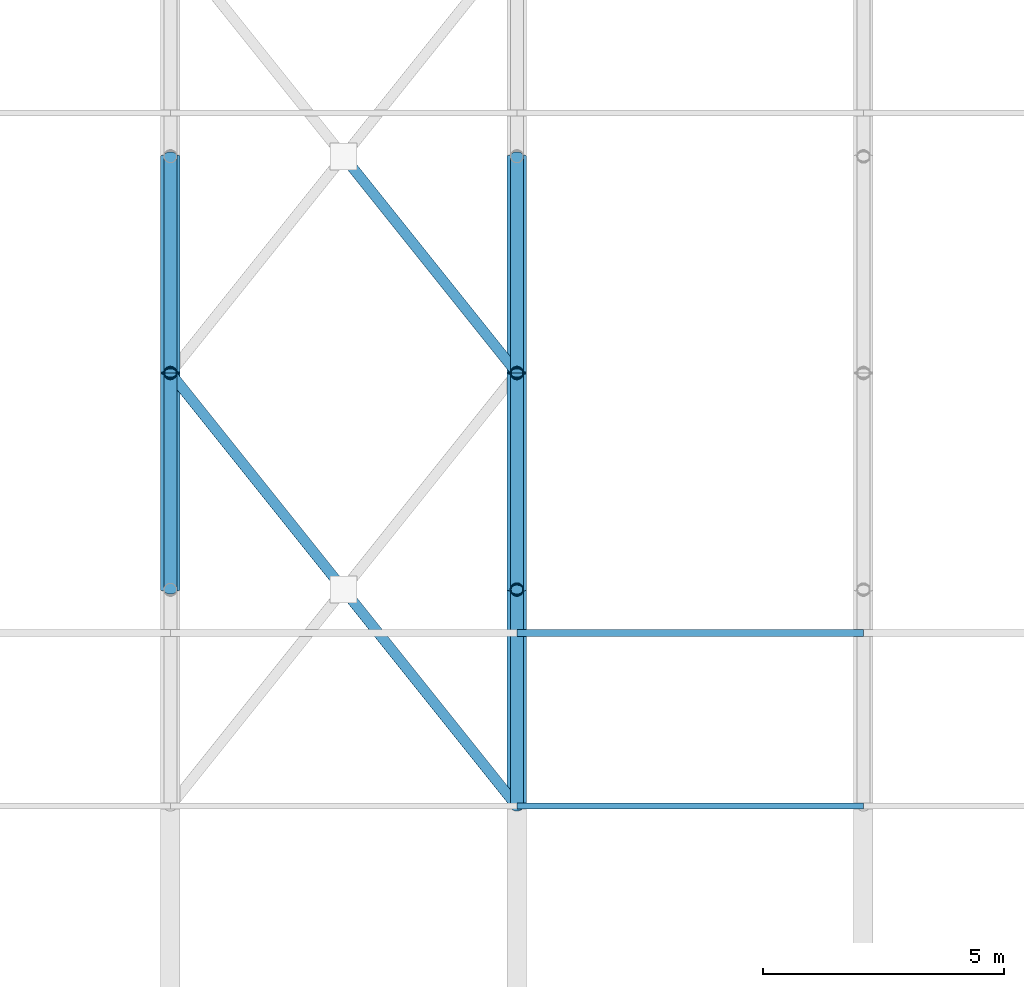
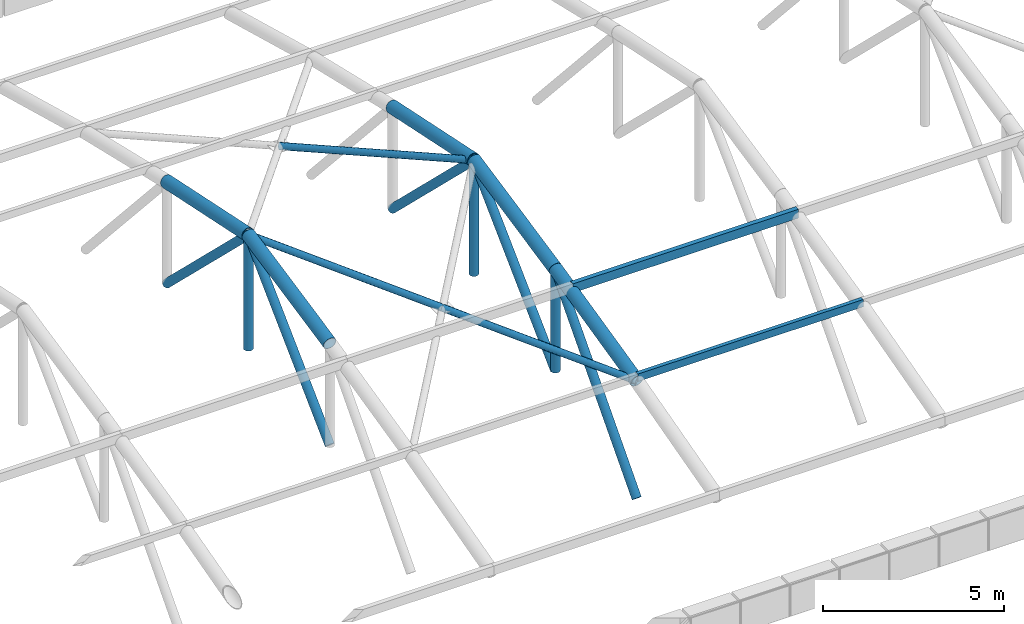
# One storey, part 28 of 96: 18 members.
"""IFC4 building model written with IfcOpenShell, lengths in metres."""

from ifc_helpers import new_model, si_unit, direction, frame, origin, origin_2d, place, context, subcontext, project, spatial, hollow_rectangle, hollow_circle, extrude, material, material_profile, profile_set, type_object, element, save


model = new_model("IFC4")

# Units and contexts
model_context = context("Model", 3, precision=1e-05, world=origin(), true_north=direction((0.0, 1.0)))
body_context = subcontext(model_context, "Body", "Model", "MODEL_VIEW")
ifc_project = project(units=[si_unit("LENGTHUNIT", "METRE"), si_unit("AREAUNIT", "SQUARE_METRE"), si_unit("VOLUMEUNIT", "CUBIC_METRE"), si_unit("PLANEANGLEUNIT", "RADIAN"), si_unit("MASSUNIT", "GRAM", prefix="KILO")], contexts=[model_context])

# Site, building, storey
site_placement = place(None, origin())
site = spatial("IfcSite", under=ifc_project, at=site_placement, CompositionType="ELEMENT")
building_placement = place(site_placement, origin())
building = spatial("IfcBuilding", under=site, at=building_placement, Name="Yarey Park Central Fire Station", CompositionType="ELEMENT")
storey_placement = place(building_placement, frame((0.0, 0.0, 14.39990234375)))
storey = spatial("IfcBuildingStorey", under=building, at=storey_placement, Name="L04", CompositionType="ELEMENT", Elevation=14.39990234375)

# Members
ifc_material = material(Name="Steel ASTM A500 Gr. C", Category="steel")
ifc_material_profile_1 = material_profile(ifc_material, hollow_circle(Radius=0.109619140625, WallThickness=0.010009765625, at=origin_2d()), Name="CHS 219.1x10")
ifc_profile_set_1 = profile_set([ifc_material_profile_1], Name="Steel ASTM A500 Gr. C")
member_type_1 = type_object("IfcMemberType", Name="STR_BRC_CHS219", PredefinedType="BRACE", material=ifc_profile_set_1)
member_1_placement = place(storey_placement, frame((100.800048828125, 66.60009765625, 1.940185546875), z_axis=(-0.61554689676, 0.769412749293, 0.170604921135), x_axis=(-0.780860543151, -0.624705380279, 0.0)))
element("IfcMember", 1, at=member_1_placement, inside=storey, type_object=member_type_1, Name="XBR_ARCH_B06_66_2A", PredefinedType="BRACE", context=body_context, shape_type="SweptSolid", body=[
    extrude(hollow_circle(Radius=0.109619140625, WallThickness=0.010009765625, at=origin_2d()), origin(), (0.0, 0.0, 1.0), 5.8486328125),
])
member_2_placement = place(storey_placement, frame((97.199951171875, 71.10009765625, 2.93798828125), z_axis=(-0.615516584686, 0.769427038924, 0.17064983372), x_axis=(-0.780881208953, -0.624679547852, 0.0)))
element("IfcMember", 2, at=member_2_placement, inside=storey, type_object=member_type_1, Name="XBR_ARCH_B06_66_2B", PredefinedType="BRACE", context=body_context, shape_type="SweptSolid", body=[
    extrude(hollow_circle(Radius=0.109619140625, WallThickness=0.010009765625, at=origin_2d()), origin(), (0.0, 0.0, 1.0), 5.848388671875),
])
member_3_placement = place(storey_placement, frame((100.800048828125, 75.60009765625, 3.93603515625), z_axis=(-0.615542512582, 0.76940726922, -0.170645449033), x_axis=(-0.780860543151, -0.624705380279, 0.0)))
element("IfcMember", 3, at=member_3_placement, inside=storey, type_object=member_type_1, Name="XBR_ARCH_B06_75_2A", PredefinedType="BRACE", context=body_context, shape_type="SweptSolid", body=[
    extrude(hollow_circle(Radius=0.109619140625, WallThickness=0.010009765625, at=origin_2d()), origin(), (0.0, 0.0, 1.0), 5.8486328125),
])
ifc_material_profile_2 = material_profile(ifc_material, hollow_circle(Radius=0.203125, WallThickness=0.01611328125, at=origin_2d()), Name="CHS 406.4x16")
ifc_profile_set_2 = profile_set([ifc_material_profile_2], Name="Steel ASTM A500 Gr. C")
member_type_2 = type_object("IfcMemberType", Name="STR_CHORD_CHS406", PredefinedType="CHORD", material=ifc_profile_set_2)
for number, where, z_axis, x_axis, name in (
    (4, (93.60009765625, 71.10009765625, 2.99609375), (0.0, 0.978874249501, 0.204463208582), (-1.0, 0.0, 0.0), "Arched Roof Truss ART_06 Top Chord 4"),
    (5, (93.60009765625, 75.60009765625, 3.93603515625), (0.0, 0.978874249501, -0.204463208582), (-1.0, 0.0, 0.0), "Arched Roof Truss ART_06 Top Chord 5"),
):
    element("IfcMember", number, at=place(storey_placement, frame(where, z_axis=z_axis, x_axis=x_axis)), inside=storey, type_object=member_type_2, Name=name, PredefinedType="CHORD", context=body_context, shape_type="SweptSolid", body=[
        extrude(hollow_circle(Radius=0.203125, WallThickness=0.01611328125, at=origin_2d()), origin(), (0.0, 0.0, 1.0), 4.59716796875),
    ])
member_4_placement = place(storey_placement, frame((100.800048828125, 66.60009765625, 1.940185546875), z_axis=(0.0, 0.97355760432, 0.228441657915), x_axis=(-1.0, 0.0, 0.0)))
element("IfcMember", 6, at=member_4_placement, inside=storey, type_object=member_type_2, Name="Arched Roof Truss ART_07 Top Chord 3", PredefinedType="CHORD", context=body_context, shape_type="SweptSolid", body=[
    extrude(hollow_circle(Radius=0.203125, WallThickness=0.01611328125, at=origin_2d()), origin(), (0.0, 0.0, 1.0), 4.622314453125),
])
for number, where, z_axis, x_axis, name in (
    (7, (100.800048828125, 71.10009765625, 2.99609375), (0.0, 0.978874249501, 0.204463208582), (-1.0, 0.0, 0.0), "Arched Roof Truss ART_07 Top Chord 4"),
    (8, (100.800048828125, 75.60009765625, 3.93603515625), (0.0, 0.978874249501, -0.204463208582), (-1.0, 0.0, 0.0), "Arched Roof Truss ART_07 Top Chord 5"),
):
    element("IfcMember", number, at=place(storey_placement, frame(where, z_axis=z_axis, x_axis=x_axis)), inside=storey, type_object=member_type_2, Name=name, PredefinedType="CHORD", context=body_context, shape_type="SweptSolid", body=[
        extrude(hollow_circle(Radius=0.203125, WallThickness=0.01611328125, at=origin_2d()), origin(), (0.0, 0.0, 1.0), 4.59716796875),
    ])
ifc_material_profile_3 = material_profile(ifc_material, hollow_rectangle(XDim=0.125, YDim=0.25, WallThickness=0.008056640625, at=origin_2d()), Name="HSS 250x125x8")
ifc_profile_set_3 = profile_set([ifc_material_profile_3], Name="Steel ASTM A500 Gr. C")
member_type_3 = type_object("IfcMemberType", Name="STR_GIRT_HSS250", PredefinedType="PURLIN", material=ifc_profile_set_3)
member_5_placement = place(storey_placement, frame((100.800048828125, 66.60009765625, 2.0791015625), z_axis=(1.0, 0.0, 0.0), x_axis=(0.0, 1.0, 0.0)))
element("IfcMember", 9, at=member_5_placement, inside=storey, type_object=member_type_3, Name="PUR_ARCH_B07_2", PredefinedType="PURLIN", context=body_context, shape_type="SweptSolid", body=[
    extrude(hollow_rectangle(XDim=0.125, YDim=0.25, WallThickness=0.008056640625, at=origin_2d()), origin(), (0.0, 0.0, 1.0), 7.199951171875),
])
ifc_material_profile_4 = material_profile(ifc_material, hollow_rectangle(XDim=0.14990234375, YDim=0.300048828125, WallThickness=0.010009765625, at=origin_2d()), Name="HSS 300x150x10")
ifc_profile_set_4 = profile_set([ifc_material_profile_4], Name="Steel ASTM A500 Gr. C")
member_type_4 = type_object("IfcMemberType", Name="STR_PUR_HSS300", PredefinedType="PURLIN", material=ifc_profile_set_4)
member_6_placement = place(storey_placement, frame((100.800048828125, 70.199951171875, 2.922119140625), z_axis=(1.0, 0.0, 0.0), x_axis=(0.0, 1.0, 0.0)))
element("IfcMember", 10, at=member_6_placement, inside=storey, type_object=member_type_4, Name="PUR_ARCH_B07_3", PredefinedType="PURLIN", context=body_context, shape_type="SweptSolid", body=[
    extrude(hollow_rectangle(XDim=0.14990234375, YDim=0.300048828125, WallThickness=0.010009765625, at=origin_2d()), origin(), (0.0, 0.0, 1.0), 7.199951171875),
])
ifc_material_profile_5 = material_profile(ifc_material, hollow_circle(Radius=0.136474609375, WallThickness=0.012451171875, at=origin_2d()), Name="CHS 273x12.5")
ifc_profile_set_5 = profile_set([ifc_material_profile_5], Name="Steel ASTM A500 Gr. C")
member_type_5 = type_object("IfcMemberType", Name="STR_WEB_CHS273", PredefinedType="BRACE", material=ifc_profile_set_5)
for number, where, z_axis, x_axis, name in (
    (11, (93.60009765625, 71.10009765625, -0.43115234375), (0.0, 0.717617317355, 0.696437639586), (-1.0, 0.0, 0.0), "Arched Roof Truss ART_06 Diagonal 4"),
    (12, (93.60009765625, 75.60009765625, 3.93603515625), (0.0, 0.717617317355, -0.696437639586), (-1.0, 0.0, 0.0), "Arched Roof Truss ART_06 Diagonal 5"),
):
    element("IfcMember", number, at=place(storey_placement, frame(where, z_axis=z_axis, x_axis=x_axis)), inside=storey, type_object=member_type_5, Name=name, PredefinedType="BRACE", context=body_context, shape_type="SweptSolid", body=[
        extrude(hollow_circle(Radius=0.136474609375, WallThickness=0.012451171875, at=origin_2d()), origin(), (0.0, 0.0, 1.0), 6.270751953125),
    ])
member_7_placement = place(storey_placement, frame((93.60009765625, 75.60009765625, 0.10009765625), z_axis=(0.0, 0.0, 1.0), x_axis=(1.0, 0.0, 0.0)))
element("IfcMember", 13, at=member_7_placement, inside=storey, type_object=member_type_5, Name="Arched Roof Truss ART_06 Vertical 5", PredefinedType="BRACE", context=body_context, shape_type="SweptSolid", body=[
    extrude(hollow_circle(Radius=0.136474609375, WallThickness=0.012451171875, at=origin_2d()), origin(), (0.0, 0.0, 1.0), 3.8359375),
])
member_8_placement = place(storey_placement, frame((100.800048828125, 66.60009765625, -2.02490234375), z_axis=(0.0, 0.667414870686, 0.744686101916), x_axis=(-1.0, 0.0, 0.0)))
element("IfcMember", 14, at=member_8_placement, inside=storey, type_object=member_type_5, Name="Arched Roof Truss ART_07 Diagonal 3", PredefinedType="BRACE", context=body_context, shape_type="SweptSolid", body=[
    extrude(hollow_circle(Radius=0.136474609375, WallThickness=0.012451171875, at=origin_2d()), origin(), (0.0, 0.0, 1.0), 6.742431640625),
])
for number, where, z_axis, x_axis, name in (
    (15, (100.800048828125, 71.10009765625, -0.43115234375), (0.0, 0.717617317355, 0.696437639586), (-1.0, 0.0, 0.0), "Arched Roof Truss ART_07 Diagonal 4"),
    (16, (100.800048828125, 75.60009765625, 3.93603515625), (0.0, 0.717617317355, -0.696437639586), (-1.0, 0.0, 0.0), "Arched Roof Truss ART_07 Diagonal 5"),
):
    element("IfcMember", number, at=place(storey_placement, frame(where, z_axis=z_axis, x_axis=x_axis)), inside=storey, type_object=member_type_5, Name=name, PredefinedType="BRACE", context=body_context, shape_type="SweptSolid", body=[
        extrude(hollow_circle(Radius=0.136474609375, WallThickness=0.012451171875, at=origin_2d()), origin(), (0.0, 0.0, 1.0), 6.270751953125),
    ])
member_9_placement = place(storey_placement, frame((100.800048828125, 71.10009765625, -0.43115234375), z_axis=(0.0, 0.0, 1.0), x_axis=(1.0, 0.0, 0.0)))
element("IfcMember", 17, at=member_9_placement, inside=storey, type_object=member_type_5, Name="Arched Roof Truss ART_07 Vertical 4", PredefinedType="BRACE", context=body_context, shape_type="SweptSolid", body=[
    extrude(hollow_circle(Radius=0.136474609375, WallThickness=0.012451171875, at=origin_2d()), origin(), (0.0, 0.0, 1.0), 3.42724609375),
])
member_10_placement = place(storey_placement, frame((100.800048828125, 75.60009765625, 0.10009765625), z_axis=(0.0, 0.0, 1.0), x_axis=(1.0, 0.0, 0.0)))
element("IfcMember", 18, at=member_10_placement, inside=storey, type_object=member_type_5, Name="Arched Roof Truss ART_07 Vertical 5", PredefinedType="BRACE", context=body_context, shape_type="SweptSolid", body=[
    extrude(hollow_circle(Radius=0.136474609375, WallThickness=0.012451171875, at=origin_2d()), origin(), (0.0, 0.0, 1.0), 3.8359375),
])

save(model, "model.ifc")
